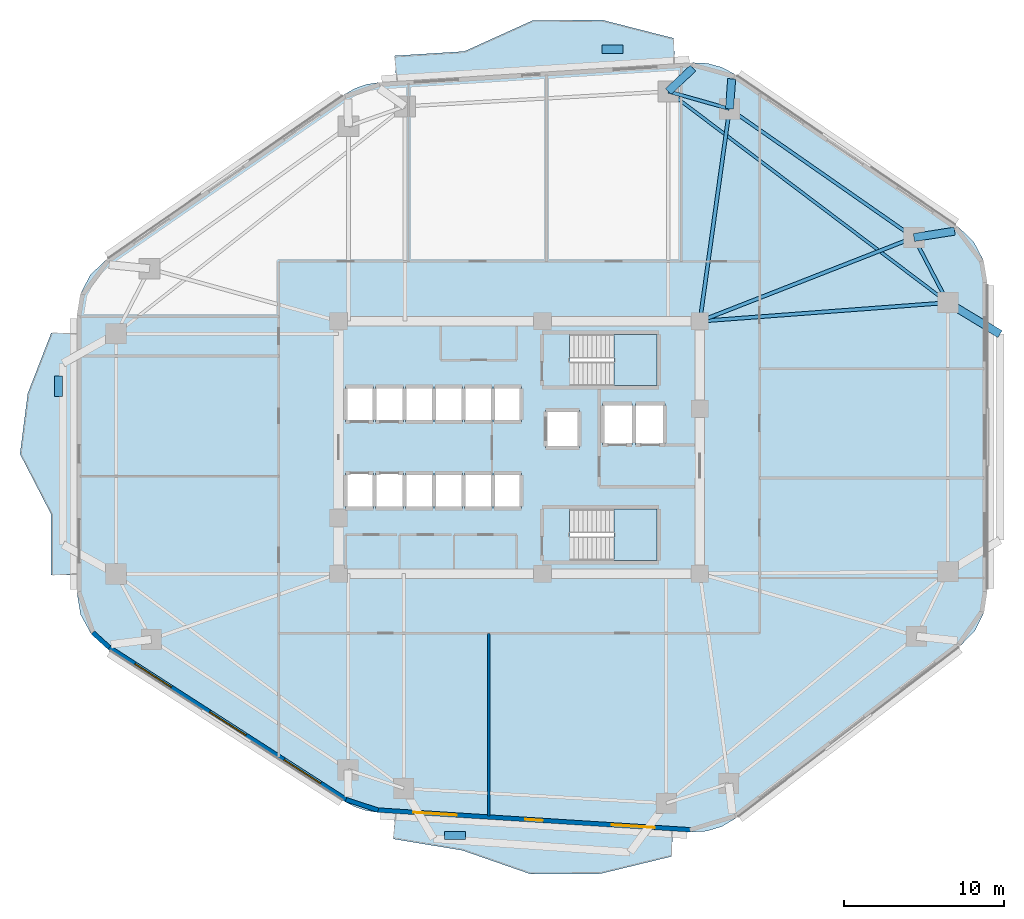
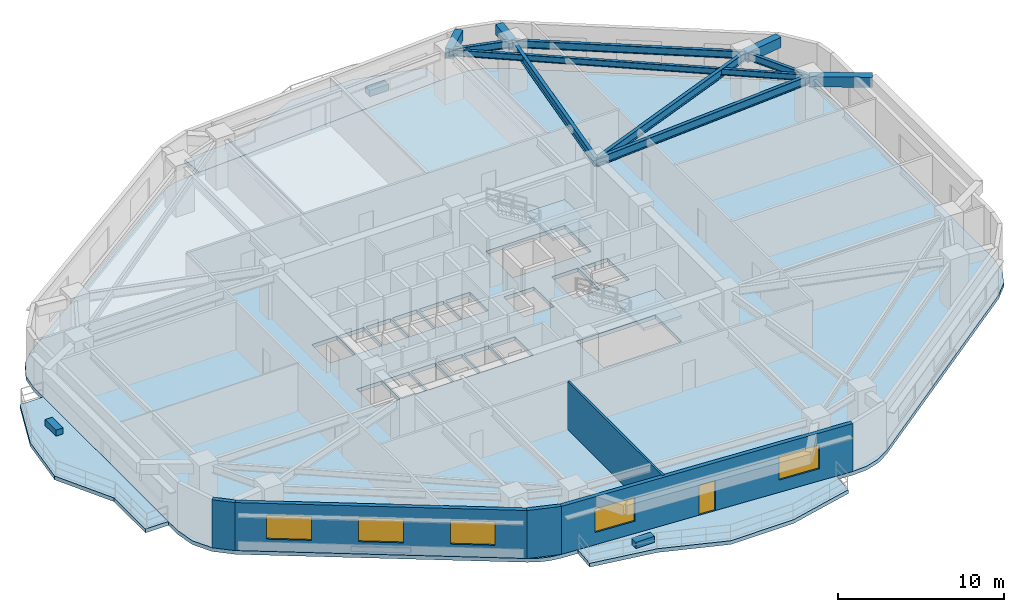
# One storey, part 2 of 9: 11 beams, 6 slabs, 5 walls, 5 windows, 3 plates, 1 door, 6 openings, 2 elements without a shape of their own.
"""IFC4 building model written with IfcOpenShell, lengths in metres."""

from ifc_helpers import new_model, si_unit, direction, frame, frame_2d, origin, origin_2d, place, context, subcontext, project, spatial, polyline, rectangle, i_section, outline, extrude, material, layer, layer_set, material_profile, profile_set, type_object, element, fill, aggregate, save


model = new_model("IFC4")

# Units and contexts
model_context = context("Model", 3, precision=1e-05, world=origin(), true_north=direction((0.0, 1.0)))
body_context = subcontext(model_context, "Body", "Model", "MODEL_VIEW")
ifc_project = project(units=[si_unit("LENGTHUNIT", "METRE"), si_unit("AREAUNIT", "SQUARE_METRE"), si_unit("VOLUMEUNIT", "CUBIC_METRE"), si_unit("PLANEANGLEUNIT", "RADIAN"), si_unit("MASSUNIT", "GRAM", prefix="KILO")], contexts=[model_context])

# Site, building, storey
site_placement = place(None, origin())
site = spatial("IfcSite", under=ifc_project, at=site_placement, CompositionType="ELEMENT")
building_placement = place(site_placement, origin())
building = spatial("IfcBuilding", under=site, at=building_placement, Name="Zulverin Broadcast Headquarters", CompositionType="ELEMENT")
storey_placement = place(building_placement, frame((0.0, 0.0, 51.60009765625)))
storey = spatial("IfcBuildingStorey", under=building, at=storey_placement, Name="L12", CompositionType="ELEMENT", Elevation=51.60009765625)

# Beams
ifc_material_1 = material(Name="Concrete C40/50", Category="concrete")
ifc_material_profile_1 = material_profile(ifc_material_1, rectangle(XDim=0.5, YDim=0.75, at=origin_2d()), Name="Concrete C40/50", Category="concrete")
ifc_profile_set_1 = profile_set([ifc_material_profile_1], Name="Concrete C40/50")
beam_type_1 = type_object("IfcBeamType", Name="BM-RC-500x750", PredefinedType="BEAM", material=ifc_profile_set_1)
beam_1_placement = place(storey_placement, frame((61.630126953125, 38.298583984375, 3.14990234375), z_axis=(0.988133444256, 0.153597839639, 0.0), x_axis=(-0.153597839639, 0.988133444256, 0.0)))
element("IfcBeam", 1, at=beam_1_placement, inside=storey, type_object=beam_type_1, Name="L13 Plate Overhang Back-Spanned Beam OVR-07", PredefinedType="BEAM", context=body_context, shape_type="SweptSolid", body=[
    extrude(rectangle(XDim=0.5, YDim=0.75, at=origin_2d()), origin(), (0.0, 0.0, 1.0), 2.57177734375),
])
beam_2_placement = place(storey_placement, frame((50.121826171875, 46.325927734375, 3.14990234375), z_axis=(0.073023006252, 0.997330256514, 0.0), x_axis=(-0.997330256514, 0.073023006252, 0.0)))
element("IfcBeam", 2, at=beam_2_placement, inside=storey, type_object=beam_type_1, Name="L13 Plate Overhang Back-Spanned Beam OVR-08", PredefinedType="BEAM", context=body_context, shape_type="SweptSolid", body=[
    extrude(rectangle(XDim=0.5, YDim=0.75, at=origin_2d()), origin(), (0.0, 0.0, 1.0), 1.875732421875),
])
beam_3_placement = place(storey_placement, frame((46.30224609375, 47.4091796875, 3.14990234375), z_axis=(0.728504534792, 0.685040978911, 0.0), x_axis=(-0.685040978911, 0.728504534792, 0.0)))
element("IfcBeam", 3, at=beam_3_placement, inside=storey, type_object=beam_type_1, Name="L13 Plate Overhang Back-Spanned Beam OVR-09", PredefinedType="BEAM", context=body_context, shape_type="SweptSolid", body=[
    extrude(rectangle(XDim=0.5, YDim=0.75, at=origin_2d()), origin(), (0.0, 0.0, 1.0), 2.11767578125),
])
beam_4_placement = place(storey_placement, frame((63.75, 34.235107421875, 3.14990234375), z_axis=(0.855593685746, -0.517647993246, 0.0), x_axis=(0.517647993246, 0.855593685746, 0.0)))
element("IfcBeam", 4, at=beam_4_placement, inside=storey, type_object=beam_type_1, Name="L13 Balcony Column-Framed Cantilever BAL_E-2", PredefinedType="BEAM", context=body_context, shape_type="SweptSolid", body=[
    extrude(rectangle(XDim=0.5, YDim=0.75, at=origin_2d()), origin(), (0.0, 0.0, 1.0), 3.800048828125),
])
ifc_material_2 = material(Name="Structural steel S355JR", Category="steel")
ifc_material_profile_2 = material_profile(ifc_material_2, i_section(OverallWidth=0.19287109375, OverallDepth=0.46728515625, WebThickness=0.011474609375, FlangeThickness=0.01953125, at=origin_2d()), Name="Structural steel S355JR", Category="steel")
ifc_profile_set_2 = profile_set([ifc_material_profile_2], Name="Structural steel S355JR")
beam_type_2 = type_object("IfcBeamType", Name="BM-UB-457", PredefinedType="JOIST", material=ifc_profile_set_2)
beam_5_placement = place(storey_placement, frame((63.75, 34.235107421875, 3.291259765625), z_axis=(-0.798058136838, 0.602580459546, 0.0), x_axis=(-0.602580459546, -0.798058136838, 0.0)))
element("IfcBeam", 5, at=beam_5_placement, inside=storey, type_object=beam_type_2, Name="L12 Chordal Floor Joist J-02", PredefinedType="JOIST", context=body_context, shape_type="SweptSolid", body=[
    extrude(i_section(OverallWidth=0.19287109375, OverallDepth=0.46728515625, WebThickness=0.011474609375, FlangeThickness=0.01953125, at=origin_2d()), origin(), (0.0, 0.0, 1.0), 21.86279296875),
])
ifc_material_profile_3 = material_profile(ifc_material_2, i_section(OverallWidth=0.2119140625, OverallDepth=0.54443359375, WebThickness=0.0126953125, FlangeThickness=0.021240234375, at=origin_2d()), Name="Structural steel S355JR", Category="steel")
ifc_profile_set_3 = profile_set([ifc_material_profile_3], Name="Structural steel S355JR")
beam_type_3 = type_object("IfcBeamType", Name="BM-UB-533", PredefinedType="SPANDREL", material=ifc_profile_set_3)
beam_6_placement = place(storey_placement, frame((63.75, 34.235107421875, 3.252685546875), z_axis=(-0.462531417359, 0.886602891917, 0.0), x_axis=(-0.886602891917, -0.462531417359, 0.0)))
element("IfcBeam", 6, at=beam_6_placement, inside=storey, type_object=beam_type_3, Name="L12 Perimeter Spandrel Beam SP-06", PredefinedType="SPANDREL", context=body_context, shape_type="SweptSolid", body=[
    extrude(i_section(OverallWidth=0.2119140625, OverallDepth=0.54443359375, WebThickness=0.0126953125, FlangeThickness=0.021240234375, at=origin_2d()), origin(), (0.0, 0.0, 1.0), 4.583251953125),
])
beam_7_placement = place(storey_placement, frame((61.630126953125, 38.298583984375, 3.252685546875), z_axis=(-0.820183915206, 0.5720999434, 0.0), x_axis=(-0.5720999434, -0.820183915206, 0.0)))
element("IfcBeam", 7, at=beam_7_placement, inside=storey, type_object=beam_type_3, Name="L12 Perimeter Spandrel Beam SP-07", PredefinedType="SPANDREL", context=body_context, shape_type="SweptSolid", body=[
    extrude(i_section(OverallWidth=0.2119140625, OverallDepth=0.54443359375, WebThickness=0.0126953125, FlangeThickness=0.021240234375, at=origin_2d()), origin(), (0.0, 0.0, 1.0), 14.03125),
])
beam_8_placement = place(storey_placement, frame((50.121826171875, 46.325927734375, 3.252685546875), z_axis=(-0.962058150721, 0.272844487999, 0.0), x_axis=(-0.272844487999, -0.962058150721, 0.0)))
element("IfcBeam", 8, at=beam_8_placement, inside=storey, type_object=beam_type_3, Name="L12 Perimeter Spandrel Beam SP-08", PredefinedType="SPANDREL", context=body_context, shape_type="SweptSolid", body=[
    extrude(i_section(OverallWidth=0.2119140625, OverallDepth=0.54443359375, WebThickness=0.0126953125, FlangeThickness=0.021240234375, at=origin_2d()), origin(), (0.0, 0.0, 1.0), 3.97021484375),
])
ifc_material_profile_4 = material_profile(ifc_material_2, i_section(OverallWidth=0.230224609375, OverallDepth=0.6171875, WebThickness=0.01318359375, FlangeThickness=0.022216796875, at=origin_2d()), Name="Structural steel S355JR", Category="steel")
ifc_profile_set_4 = profile_set([ifc_material_profile_4], Name="Structural steel S355JR")
beam_type_4 = type_object("IfcBeamType", Name="BM-UB-610", PredefinedType="BEAM", material=ifc_profile_set_4)
beam_9_placement = place(storey_placement, frame((48.27490234375, 33.074951171875, 3.21630859375), z_axis=(0.997201597387, 0.074759442003, 0.0), x_axis=(-0.074759442003, 0.997201597387, 0.0)))
element("IfcBeam", 9, at=beam_9_placement, inside=storey, type_object=beam_type_4, Name="L12 Radial Primary Floor Beam RB-06", PredefinedType="BEAM", context=body_context, shape_type="SweptSolid", body=[
    extrude(i_section(OverallWidth=0.230224609375, OverallDepth=0.6171875, WebThickness=0.01318359375, FlangeThickness=0.022216796875, at=origin_2d()), origin(), (0.0, 0.0, 1.0), 15.5185546875),
])
beam_10_placement = place(storey_placement, frame((48.27490234375, 33.074951171875, 3.21630859375), z_axis=(0.931297778153, 0.364258765723, 0.0), x_axis=(-0.364258765723, 0.931297778153, 0.0)))
element("IfcBeam", 10, at=beam_10_placement, inside=storey, type_object=beam_type_4, Name="L12 Radial Primary Floor Beam RB-07", PredefinedType="BEAM", context=body_context, shape_type="SweptSolid", body=[
    extrude(i_section(OverallWidth=0.230224609375, OverallDepth=0.6171875, WebThickness=0.01318359375, FlangeThickness=0.022216796875, at=origin_2d()), origin(), (0.0, 0.0, 1.0), 14.34033203125),
])
beam_11_placement = place(storey_placement, frame((48.27490234375, 33.074951171875, 3.21630859375), z_axis=(0.138045758193, 0.990425852169, 0.0), x_axis=(-0.990425852169, 0.138045758193, 0.0)))
element("IfcBeam", 11, at=beam_11_placement, inside=storey, type_object=beam_type_4, Name="L12 Radial Primary Floor Beam RB-08", PredefinedType="BEAM", context=body_context, shape_type="SweptSolid", body=[
    extrude(i_section(OverallWidth=0.230224609375, OverallDepth=0.6171875, WebThickness=0.01318359375, FlangeThickness=0.022216796875, at=origin_2d()), origin(), (0.0, 0.0, 1.0), 13.379150390625),
])

# Plates
ifc_material_3 = material(Name="Precast concrete C45/55", Category="concrete")
ifc_layer_1 = layer(ifc_material_3, 0.449951171875, Name="Precast concrete C45/55", Category="concrete")
ifc_layer_set_1 = layer_set([ifc_layer_1], Name="Precast concrete C45/55")
plate_type = type_object("IfcPlateType", Name="PT-01_PRECAST_GFRC_TREE_PLANTER", PredefinedType="USERDEFINED", material=ifc_layer_set_1)
for number, where, z_axis, x_axis, name in (
    (12, (42.825927734375, 50.04638671875, -0.0048828125), (0.0, 0.0, 1.0), (1.0, 0.0, 0.0), "L12 Precast GFRC Tree Planter BAL_N"),
    (13, (8.25, 29.022216796875, -0.0048828125), (0.0, 0.0, 1.0), (0.0, 1.0, 0.0), "L12 Precast GFRC Tree Planter BAL_W"),
    (14, (32.993408203125, 0.973876953125, -0.0048828125), (0.0, 0.0, 1.0), (1.0, 0.0, 0.0), "L12 Precast GFRC Tree Planter BAL_S"),
):
    element("IfcPlate", number, at=place(storey_placement, frame(where, z_axis=z_axis, x_axis=x_axis)), inside=storey, type_object=plate_type, Name=name, ObjectType="PLANTER", PredefinedType="USERDEFINED", context=body_context, shape_type="SweptSolid", body=[
        extrude(rectangle(XDim=1.300048828125, YDim=0.5, at=origin_2d()), origin(), (0.0, 0.0, 1.0), 0.449951171875),
    ])

# Slabs
ifc_layer_2 = layer(ifc_material_1, 0.27490234375, Name="Concrete C40/50", Category="concrete")
ifc_layer_set_2 = layer_set([ifc_layer_2], Name="Concrete C40/50")
slab_type_1 = type_object("IfcSlabType", Name="SLB-BAL-275", PredefinedType="FLOOR", material=ifc_layer_set_2)
slab_1_placement = place(storey_placement, frame((0.0, 0.0, -0.275146484375)))
element("IfcSlab", 15, at=slab_1_placement, inside=storey, type_object=slab_type_1, Name="L12 Cantilevered Planted Balcony Slab BAL_N", PredefinedType="FLOOR", context=body_context, shape_type="SweptSolid", body=[
    extrude(outline(polyline([(29.330078125, 48.04296875), (46.72509765625, 49.139892578125), (46.62451171875, 50.73681640625), (42.18701171875, 51.871337890625), (37.8232421875, 51.8349609375), (33.578369140625, 49.9140625), (29.2294921875, 49.639892578125), (29.330078125, 48.04296875)])), origin(), (0.0, 0.0, 1.0), 0.275146484375),
])
slab_2_placement = place(storey_placement, frame((0.0, 0.0, -0.275146484375)))
element("IfcSlab", 16, at=slab_2_placement, inside=storey, type_object=slab_type_1, Name="L12 Cantilevered Planted Balcony Slab BAL_W", PredefinedType="FLOOR", context=body_context, shape_type="SweptSolid", body=[
    extrude(outline(polyline([(9.39990234375, 17.24365234375), (9.39990234375, 32.344482421875), (7.800048828125, 32.344482421875), (6.334228515625, 28.569091796875), (5.85009765625, 24.7939453125), (7.800048828125, 21.018798828125), (7.800048828125, 17.24365234375), (9.39990234375, 17.24365234375)])), origin(), (0.0, 0.0, 1.0), 0.275146484375),
])
slab_3_placement = place(storey_placement, frame((0.0, 0.0, -0.275146484375)))
element("IfcSlab", 17, at=slab_3_placement, inside=storey, type_object=slab_type_1, Name="L12 Cantilevered Planted Balcony Slab BAL_S", PredefinedType="FLOOR", context=body_context, shape_type="SweptSolid", body=[
    extrude(outline(polyline([(46.5927734375, 1.268310546875), (29.250244140625, 2.3623046875), (29.149658203125, 0.765380859375), (33.45751953125, 0.054443359375), (37.717041015625, -1.42822265625), (42.071533203125, -1.401611328125), (46.4921875, -0.328369140625), (46.5927734375, 1.268310546875)])), origin(), (0.0, 0.0, 1.0), 0.275146484375),
])

# Stair, slab
stair_type = type_object("IfcStairType", Name="ST-CORE-1500", PredefinedType="HALF_TURN_STAIR", material=ifc_material_1)
stair_1_placement = place(storey_placement, origin())
stair_1 = element("IfcStair", 18, at=stair_1_placement, inside=storey, type_object=stair_type, Name="L12 Core Exit Stair ST-1", PredefinedType="HALF_TURN_STAIR")
ifc_layer_3 = layer(ifc_material_1, 0.199951171875, Name="Concrete C40/50", Category="concrete")
ifc_layer_set_3 = layer_set([ifc_layer_3], Name="Concrete C40/50")
slab_type_2 = type_object("IfcSlabType", Name="SLB-ST-LND200", PredefinedType="LANDING", material=ifc_layer_set_3)
slab_4_placement = place(storey_placement, frame((0.0, 0.0, 1.699951171875)))
slab_4 = element("IfcSlab", 19, at=slab_4_placement, type_object=slab_type_2, Name="ST-1 landing 1", PredefinedType="LANDING", context=body_context, shape_type="SweptSolid", body=[
    extrude(outline(polyline([(42.929931640625, 29.050048828125), (45.60009765625, 29.050048828125), (45.60009765625, 32.25), (42.929931640625, 32.25), (42.929931640625, 29.050048828125)])), origin(), (0.0, 0.0, 1.0), 0.199951171875),
])
aggregate(stair_1, [slab_4])

stair_2_placement = place(storey_placement, origin())
stair_2 = element("IfcStair", 20, at=stair_2_placement, inside=storey, type_object=stair_type, Name="L12 Core Exit Stair ST-2", PredefinedType="HALF_TURN_STAIR")
slab_5_placement = place(storey_placement, frame((0.0, 0.0, 1.699951171875)))
slab_5 = element("IfcSlab", 21, at=slab_5_placement, type_object=slab_type_2, Name="ST-2 landing 1", PredefinedType="LANDING", context=body_context, shape_type="SweptSolid", body=[
    extrude(outline(polyline([(42.929931640625, 18.14990234375), (45.60009765625, 18.14990234375), (45.60009765625, 21.35009765625), (42.929931640625, 21.35009765625), (42.929931640625, 18.14990234375)])), origin(), (0.0, 0.0, 1.0), 0.199951171875),
])
aggregate(stair_2, [slab_5])

# Slab
ifc_layer_4 = layer(ifc_material_1, 0.27490234375, Name="Concrete C40/50", Category="concrete")
ifc_layer_set_4 = layer_set([ifc_layer_4], Name="Concrete C40/50")
slab_type_3 = type_object("IfcSlabType", Name="SLB-TWR-275", PredefinedType="FLOOR", material=ifc_layer_set_4)
slab_6_placement = place(storey_placement, frame((0.0, 0.0, -0.275146484375)))
element("IfcSlab", 22, at=slab_6_placement, inside=storey, type_object=slab_type_3, Name="L12 Main Structural Floor Slab", PredefinedType="FLOOR", context=body_context, shape_type="SweptSolid", body=[
    extrude(outline(polyline([(26.146484375, 3.089599609375), (26.774658203125, 2.75732421875), (27.44970703125, 2.535888671875), (28.152587890625, 2.431396484375), (47.690673828125, 1.19921875), (48.69189453125, 1.256103515625), (49.6513671875, 1.548828125), (50.51416015625, 2.060546875), (64.55908203125, 12.85302734375), (65.44140625, 13.77587890625), (66.005859375, 14.92138671875), (66.199951171875, 16.183349609375), (66.199951171875, 35.514404296875), (65.981689453125, 36.85107421875), (65.349365234375, 38.048583984375), (64.368896484375, 38.982666015625), (50.456298828125, 48.485595703125), (49.639404296875, 48.920166015625), (48.747314453125, 49.165283203125), (47.822998046875, 49.208984375), (28.232421875, 47.9736328125), (27.481201171875, 47.857421875), (26.76318359375, 47.607666015625), (26.102294921875, 47.232666015625), (11.20556640625, 36.89501953125), (10.238037109375, 35.9619140625), (9.614990234375, 34.77099609375), (9.39990234375, 33.4443359375), (9.39990234375, 16.1435546875), (9.631103515625, 14.769775390625), (10.298583984375, 13.547119140625), (11.32958984375, 12.610107421875), (26.146484375, 3.089599609375)]), holes=[polyline([(40.155029296875, 30.75), (40.130126953125, 30.75), (40.130126953125, 32.25), (45.60009765625, 32.25), (45.60009765625, 29.050048828125), (40.155029296875, 29.050048828125), (40.155029296875, 30.75)]), polyline([(40.155029296875, 19.85009765625), (40.130126953125, 19.85009765625), (40.130126953125, 21.35009765625), (45.60009765625, 21.35009765625), (45.60009765625, 18.14990234375), (40.155029296875, 18.14990234375), (40.155029296875, 19.85009765625)]), polyline([(26.14990234375, 26.800048828125), (27.89990234375, 26.800048828125), (27.89990234375, 29.0), (26.14990234375, 29.0), (26.14990234375, 26.800048828125)]), polyline([(28.02001953125, 26.800048828125), (29.77001953125, 26.800048828125), (29.77001953125, 29.0), (28.02001953125, 29.0), (28.02001953125, 26.800048828125)]), polyline([(26.14990234375, 21.39990234375), (27.89990234375, 21.39990234375), (27.89990234375, 23.60009765625), (26.14990234375, 23.60009765625), (26.14990234375, 21.39990234375)]), polyline([(28.02001953125, 21.39990234375), (29.77001953125, 21.39990234375), (29.77001953125, 23.60009765625), (28.02001953125, 23.60009765625), (28.02001953125, 21.39990234375)]), polyline([(29.89990234375, 21.39990234375), (31.6201171875, 21.39990234375), (31.6201171875, 23.60009765625), (29.89990234375, 23.60009765625), (29.89990234375, 21.39990234375)]), polyline([(31.739990234375, 21.39990234375), (33.4599609375, 21.39990234375), (33.4599609375, 23.60009765625), (31.739990234375, 23.60009765625), (31.739990234375, 21.39990234375)]), polyline([(33.580078125, 21.39990234375), (35.300048828125, 21.39990234375), (35.300048828125, 23.60009765625), (33.580078125, 23.60009765625), (33.580078125, 21.39990234375)]), polyline([(35.419921875, 21.39990234375), (37.139892578125, 21.39990234375), (37.139892578125, 23.60009765625), (35.419921875, 23.60009765625), (35.419921875, 21.39990234375)]), polyline([(29.89990234375, 26.800048828125), (31.6201171875, 26.800048828125), (31.6201171875, 29.0), (29.89990234375, 29.0), (29.89990234375, 26.800048828125)]), polyline([(31.739990234375, 26.800048828125), (33.4599609375, 26.800048828125), (33.4599609375, 29.0), (31.739990234375, 29.0), (31.739990234375, 26.800048828125)]), polyline([(33.580078125, 26.800048828125), (35.300048828125, 26.800048828125), (35.300048828125, 29.0), (33.580078125, 29.0), (33.580078125, 26.800048828125)]), polyline([(35.419921875, 26.800048828125), (37.139892578125, 26.800048828125), (37.139892578125, 29.0), (35.419921875, 29.0), (35.419921875, 26.800048828125)]), polyline([(42.199951171875, 25.35009765625), (44.050048828125, 25.35009765625), (44.050048828125, 27.949951171875), (42.199951171875, 27.949951171875), (42.199951171875, 25.35009765625)]), polyline([(44.25, 25.35009765625), (46.10009765625, 25.35009765625), (46.10009765625, 27.949951171875), (44.25, 27.949951171875), (44.25, 25.35009765625)]), polyline([(38.64990234375, 25.14990234375), (40.75, 25.14990234375), (40.75, 27.550048828125), (38.64990234375, 27.550048828125), (38.64990234375, 25.14990234375)])]), origin(), (0.0, 0.0, 1.0), 0.275146484375),
])

# Wall, openings, door, windows
ifc_material_4 = material(Name="Insulated pale-metal clad concrete spandrel C40/50", Category="concrete")
ifc_layer_5 = layer(ifc_material_4, 0.280029296875, Name="Insulated pale-metal clad concrete spandrel C40/50", Category="concrete")
ifc_layer_set_5 = layer_set([ifc_layer_5], Name="Insulated pale-metal clad concrete spandrel C40/50")
wall_type_1 = type_object("IfcWallType", Name="WL-EXT-280", PredefinedType="STANDARD", material=ifc_layer_set_5)
wall_1_placement = place(storey_placement, frame((28.161376953125, 2.571044921875, 0.0), z_axis=(0.0, 0.0, 1.0), x_axis=(0.998017288298, -0.06294038654, 0.0)))
wall_1 = element("IfcWall", 23, at=wall_1_placement, inside=storey, type_object=wall_type_1, Name="L12 Pale-Metal Clad Spandrel Wall 1", PredefinedType="STANDARD", context=body_context, shape_type="SweptSolid", body=[
    extrude(rectangle(XDim=19.576904296875, YDim=0.280029296875, at=frame_2d((9.78857421875, 0.0))), origin(), (0.0, 0.0, 1.0), 3.52490234375),
])
opening_1_placement = place(wall_1_placement, frame((9.238525390625, 0.0, 0.0)))
opening_1 = element("IfcOpeningElement", 24, at=opening_1_placement, cuts=wall_1, Name="Opening D-L12-TR1", PredefinedType="OPENING", context=body_context, shape_type="SweptSolid", body=[
    extrude(rectangle(XDim=1.10009765625, YDim=2.199951171875, at=frame_2d((0.550048828125, 1.10009765625))), frame((0.0, 0.14990234375, 0.0), z_axis=(0.0, -1.0, 0.0), x_axis=(1.0, 0.0, 0.0)), (0.0, 0.0, 1.0), 0.300048828125),
])
opening_2_placement = place(wall_1_placement, frame((2.24609375, 0.0, 0.89990234375)))
opening_2 = element("IfcOpeningElement", 25, at=opening_2_placement, cuts=wall_1, Name="Opening W-L12-E11", PredefinedType="OPENING", context=body_context, shape_type="SweptSolid", body=[
    extrude(rectangle(XDim=2.699951171875, YDim=1.75, at=frame_2d((1.35009765625, 0.875))), frame((0.0, 0.14990234375, 0.0), z_axis=(0.0, -1.0, 0.0), x_axis=(1.0, 0.0, 0.0)), (0.0, 0.0, 1.0), 0.300048828125),
])
opening_3_placement = place(wall_1_placement, frame((14.630859375, 0.0, 0.89990234375)))
opening_3 = element("IfcOpeningElement", 26, at=opening_3_placement, cuts=wall_1, Name="Opening W-L12-E12", PredefinedType="OPENING", context=body_context, shape_type="SweptSolid", body=[
    extrude(rectangle(XDim=2.699951171875, YDim=1.75, at=frame_2d((1.35009765625, 0.875))), frame((0.0, 0.14990234375, 0.0), z_axis=(0.0, -1.0, 0.0), x_axis=(1.0, 0.0, 0.0)), (0.0, 0.0, 1.0), 0.300048828125),
])
ifc_material_5 = material(Name="Thermally broken aluminium glazed", Category="aluminium")
door_type = type_object("IfcDoorType", Name="DR-TERR-1100", OperationType="SINGLE_SWING_RIGHT", PredefinedType="DOOR", material=ifc_material_5)
door_placement = place(opening_1_placement, origin())
door = element("IfcDoor", 27, at=door_placement, inside=storey, type_object=door_type, Name="L12 Planted Terrace Glazed Access Door 1", OperationType="SINGLE_SWING_RIGHT", OverallHeight=2.199951171875, OverallWidth=1.10009765625, PredefinedType="DOOR", context=body_context, shape_type="SweptSolid", body=[
    extrude(rectangle(XDim=1.10009765625, YDim=2.199951171875, at=frame_2d((0.550048828125, 1.10009765625))), frame((0.0, 0.02490234375, 0.0), z_axis=(0.0, -1.0, 0.0), x_axis=(1.0, 0.0, 0.0)), (0.0, 0.0, 1.0), 0.050048828125),
])
fill(opening_1, door)
ifc_material_6 = material(Name="Pale anodized aluminium frame with solar-control low-E double glazing", Category="aluminium")
window_type = type_object("IfcWindowType", Name="WIN-TWR-2700", PartitioningType="SINGLE_PANEL", PredefinedType="WINDOW", material=ifc_material_6)
window_1_placement = place(opening_2_placement, origin())
window_1 = element("IfcWindow", 28, at=window_1_placement, inside=storey, type_object=window_type, Name="L12 Ribbon Glazing Window 1 1", OverallHeight=1.75, OverallWidth=2.699951171875, PartitioningType="SINGLE_PANEL", PredefinedType="WINDOW", context=body_context, shape_type="SweptSolid", body=[
    extrude(rectangle(XDim=2.699951171875, YDim=1.75, at=frame_2d((1.35009765625, 0.875))), frame((0.0, 0.030029296875, 0.0), z_axis=(0.0, -1.0, 0.0), x_axis=(1.0, 0.0, 0.0)), (0.0, 0.0, 1.0), 0.06005859375),
])
fill(opening_2, window_1)
window_2_placement = place(opening_3_placement, origin())
window_2 = element("IfcWindow", 29, at=window_2_placement, inside=storey, type_object=window_type, Name="L12 Ribbon Glazing Window 1 2", OverallHeight=1.75, OverallWidth=2.699951171875, PartitioningType="SINGLE_PANEL", PredefinedType="WINDOW", context=body_context, shape_type="SweptSolid", body=[
    extrude(rectangle(XDim=2.699951171875, YDim=1.75, at=frame_2d((1.35009765625, 0.875))), frame((0.0, 0.030029296875, 0.0), z_axis=(0.0, -1.0, 0.0), x_axis=(1.0, 0.0, 0.0)), (0.0, 0.0, 1.0), 0.06005859375),
])
fill(opening_3, window_2)

# Wall, openings, windows
wall_2_placement = place(storey_placement, frame((11.4052734375, 12.727783203125, 0.0), z_axis=(0.0, 0.0, 1.0), x_axis=(0.841304564637, -0.540561402175, 0.0)))
wall_2 = element("IfcWall", 30, at=wall_2_placement, inside=storey, type_object=wall_type_1, Name="L12 Pale-Metal Clad Spandrel Wall 8", PredefinedType="STANDARD", context=body_context, shape_type="SweptSolid", body=[
    extrude(rectangle(XDim=17.61181640625, YDim=0.280029296875, at=frame_2d((8.805908203125, 0.0))), origin(), (0.0, 0.0, 1.0), 3.52490234375),
])
opening_4_placement = place(wall_2_placement, frame((1.918701171875, 0.0, 0.89990234375)))
opening_4 = element("IfcOpeningElement", 31, at=opening_4_placement, cuts=wall_2, Name="Opening W-L12-E81", PredefinedType="OPENING", context=body_context, shape_type="SweptSolid", body=[
    extrude(rectangle(XDim=2.699951171875, YDim=1.75, at=frame_2d((1.35009765625, 0.875))), frame((0.0, 0.14990234375, 0.0), z_axis=(0.0, -1.0, 0.0), x_axis=(1.0, 0.0, 0.0)), (0.0, 0.0, 1.0), 0.300048828125),
])
opening_5_placement = place(wall_2_placement, frame((7.455810546875, 0.0, 0.89990234375)))
opening_5 = element("IfcOpeningElement", 32, at=opening_5_placement, cuts=wall_2, Name="Opening W-L12-E82", PredefinedType="OPENING", context=body_context, shape_type="SweptSolid", body=[
    extrude(rectangle(XDim=2.699951171875, YDim=1.75, at=frame_2d((1.35009765625, 0.875))), frame((0.0, 0.14990234375, 0.0), z_axis=(0.0, -1.0, 0.0), x_axis=(1.0, 0.0, 0.0)), (0.0, 0.0, 1.0), 0.300048828125),
])
opening_6_placement = place(wall_2_placement, frame((12.9931640625, 0.0, 0.89990234375)))
opening_6 = element("IfcOpeningElement", 33, at=opening_6_placement, cuts=wall_2, Name="Opening W-L12-E83", PredefinedType="OPENING", context=body_context, shape_type="SweptSolid", body=[
    extrude(rectangle(XDim=2.699951171875, YDim=1.75, at=frame_2d((1.35009765625, 0.875))), frame((0.0, 0.14990234375, 0.0), z_axis=(0.0, -1.0, 0.0), x_axis=(1.0, 0.0, 0.0)), (0.0, 0.0, 1.0), 0.300048828125),
])
window_3_placement = place(opening_4_placement, origin())
window_3 = element("IfcWindow", 34, at=window_3_placement, inside=storey, type_object=window_type, Name="L12 Ribbon Glazing Window 8 1", OverallHeight=1.75, OverallWidth=2.699951171875, PartitioningType="SINGLE_PANEL", PredefinedType="WINDOW", context=body_context, shape_type="SweptSolid", body=[
    extrude(rectangle(XDim=2.699951171875, YDim=1.75, at=frame_2d((1.35009765625, 0.875))), frame((0.0, 0.030029296875, 0.0), z_axis=(0.0, -1.0, 0.0), x_axis=(1.0, 0.0, 0.0)), (0.0, 0.0, 1.0), 0.06005859375),
])
fill(opening_4, window_3)
window_4_placement = place(opening_5_placement, origin())
window_4 = element("IfcWindow", 35, at=window_4_placement, inside=storey, type_object=window_type, Name="L12 Ribbon Glazing Window 8 2", OverallHeight=1.75, OverallWidth=2.699951171875, PartitioningType="SINGLE_PANEL", PredefinedType="WINDOW", context=body_context, shape_type="SweptSolid", body=[
    extrude(rectangle(XDim=2.699951171875, YDim=1.75, at=frame_2d((1.35009765625, 0.875))), frame((0.0, 0.030029296875, 0.0), z_axis=(0.0, -1.0, 0.0), x_axis=(1.0, 0.0, 0.0)), (0.0, 0.0, 1.0), 0.06005859375),
])
fill(opening_5, window_4)
window_5_placement = place(opening_6_placement, origin())
window_5 = element("IfcWindow", 36, at=window_5_placement, inside=storey, type_object=window_type, Name="L12 Ribbon Glazing Window 8 3", OverallHeight=1.75, OverallWidth=2.699951171875, PartitioningType="SINGLE_PANEL", PredefinedType="WINDOW", context=body_context, shape_type="SweptSolid", body=[
    extrude(rectangle(XDim=2.699951171875, YDim=1.75, at=frame_2d((1.35009765625, 0.875))), frame((0.0, 0.030029296875, 0.0), z_axis=(0.0, -1.0, 0.0), x_axis=(1.0, 0.0, 0.0)), (0.0, 0.0, 1.0), 0.06005859375),
])
fill(opening_6, window_5)

# Walls
wall_3_placement = place(storey_placement, frame((10.392822265625, 13.650634765625, 0.0), z_axis=(0.0, 0.0, 1.0), x_axis=(0.74003521851, -0.672568119498, 0.0)))
element("IfcWall", 37, at=wall_3_placement, inside=storey, type_object=wall_type_1, Name="L12 Wind-Shaped Corner Spandrel Wall 7-2", PredefinedType="STANDARD", context=body_context, shape_type="SweptSolid", body=[
    extrude(rectangle(XDim=1.39306640625, YDim=0.280029296875, at=frame_2d((0.696533203125, 0.0))), origin(), (0.0, 0.0, 1.0), 3.52490234375),
])
wall_4_placement = place(storey_placement, frame((26.18994140625, 3.22265625, 0.0), z_axis=(0.0, 0.0, 1.0), x_axis=(0.95016442175, -0.311749212734, 0.0)))
element("IfcWall", 38, at=wall_4_placement, inside=storey, type_object=wall_type_1, Name="L12 Wind-Shaped Corner Spandrel Wall 8-1", PredefinedType="STANDARD", context=body_context, shape_type="SweptSolid", body=[
    extrude(rectangle(XDim=2.111328125, YDim=0.280029296875, at=frame_2d((1.0556640625, 0.0))), origin(), (0.0, 0.0, 1.0), 3.52490234375),
])
ifc_material_7 = material(Name="Fire-rated gypsum stud partition", Category="gypsum")
ifc_layer_6 = layer(ifc_material_7, 0.14990234375, Name="Fire-rated gypsum stud partition", Category="gypsum")
ifc_layer_set_6 = layer_set([ifc_layer_6], Name="Fire-rated gypsum stud partition")
wall_type_2 = type_object("IfcWallType", Name="WL-PART-150", PredefinedType="PARTITIONING", material=ifc_layer_set_6)
wall_5_placement = place(storey_placement, frame((35.10009765625, 2.1982421875, 0.0), z_axis=(0.0, 0.0, 1.0), x_axis=(0.0, 1.0, 0.0)))
element("IfcWall", 39, at=wall_5_placement, inside=storey, type_object=wall_type_2, Name="L12 Room Partition Wall RP-04", PredefinedType="PARTITIONING", context=body_context, shape_type="SweptSolid", body=[
    extrude(rectangle(XDim=11.40185546875, YDim=0.14990234375, at=frame_2d((5.700927734375, 0.0))), origin(), (0.0, 0.0, 1.0), 3.52490234375),
])

save(model, "model.ifc")
